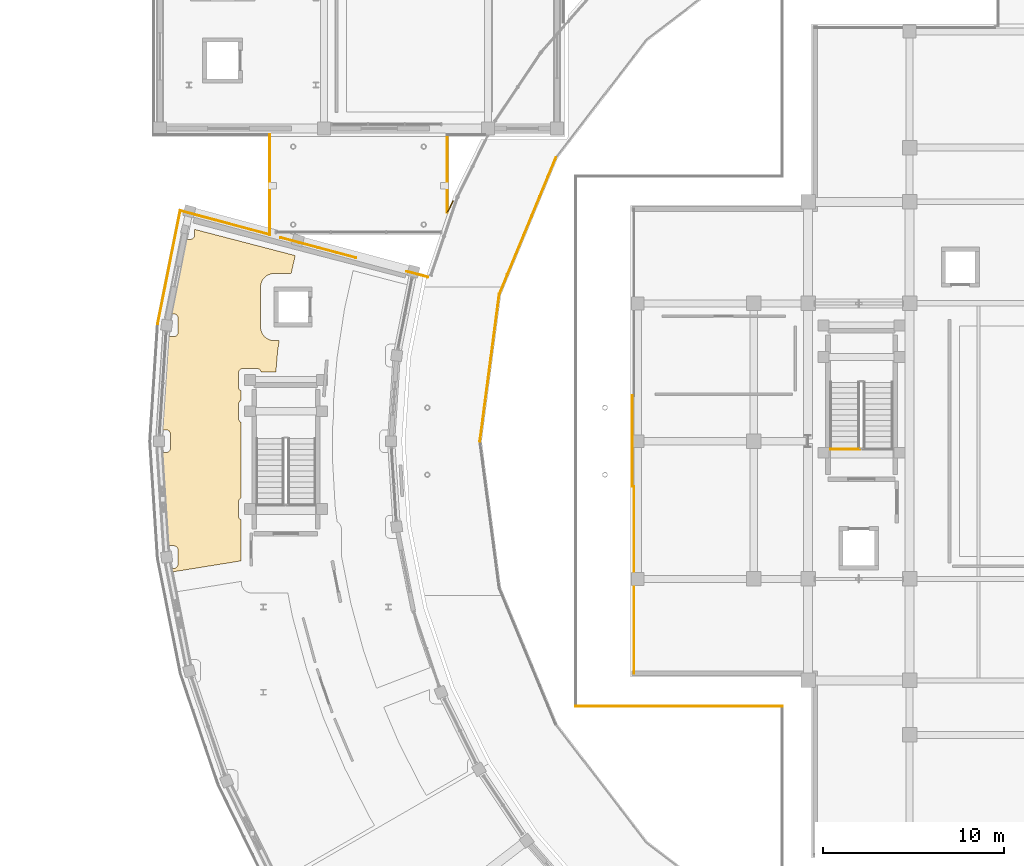
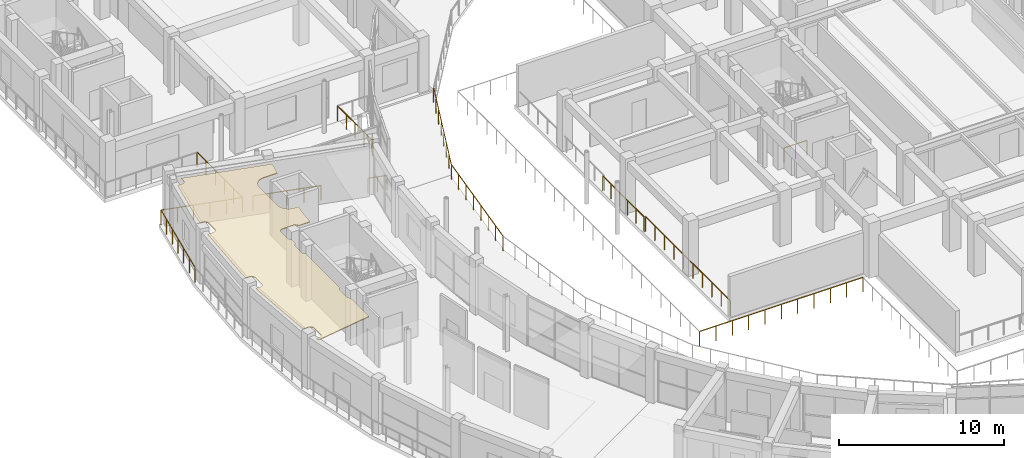
# One storey, part 72 of 83: 13 railings, 1 covering.
"""IFC4 building model written with IfcOpenShell, lengths in metres."""

from ifc_helpers import new_model, si_unit, direction, frame, origin, origin_2d, place, context, subcontext, project, spatial, polyline, rectangle, outline, extrude, material, layer, layer_set, type_object, element, save


model = new_model("IFC4")

# Units and contexts
model_context = context("Model", 3, precision=1e-05, world=origin(), true_north=direction((0.0, 1.0)))
body_context = subcontext(model_context, "Body", "Model", "MODEL_VIEW")
ifc_project = project(units=[si_unit("LENGTHUNIT", "METRE"), si_unit("AREAUNIT", "SQUARE_METRE"), si_unit("VOLUMEUNIT", "CUBIC_METRE"), si_unit("PLANEANGLEUNIT", "RADIAN"), si_unit("MASSUNIT", "GRAM", prefix="KILO")], contexts=[model_context])

# Site, building, storey
site_placement = place(None, origin())
site = spatial("IfcSite", under=ifc_project, at=site_placement, CompositionType="ELEMENT")
building_placement = place(site_placement, origin())
building = spatial("IfcBuilding", under=site, at=building_placement, Name="Saryqyr Civic Hall", CompositionType="ELEMENT")
storey_placement = place(building_placement, frame((0.0, 0.0, 9.14990234375)))
storey = spatial("IfcBuildingStorey", under=building, at=storey_placement, Name="L02", CompositionType="ELEMENT", Elevation=9.14990234375)

# Railing
ifc_material_1 = material(Name="Stainless steel and laminated glass", Category="steel")
ifc_layer_1 = layer(ifc_material_1, 0.06005859375, Name="Stainless steel and laminated glass")
ifc_layer_set_1 = layer_set([ifc_layer_1], Name="Stainless steel and laminated glass")
railing_type_1 = type_object("IfcRailingType", Name="ENV-RLG-BAL-1100", PredefinedType="BALUSTRADE", material=ifc_layer_set_1)
railing_1_placement = place(storey_placement, frame((30.97998046875, 69.3798828125, 0.0)))
element("IfcRailing", 1, at=railing_1_placement, inside=storey, type_object=railing_type_1, Name="Perimeter safety balustrade V1-STEPG-L02-G11", PredefinedType="BALUSTRADE", context=body_context, shape_type="SweptSolid", body=[
    extrude(rectangle(XDim=0.048095703125, YDim=0.048095703125, at=origin_2d()), frame((0.0, 0.0, 1.076171875), z_axis=(1.0, 0.0, 0.0), x_axis=(0.0, 1.0, 0.0)), (0.0, 0.0, 1.0), 11.39990234375),
    extrude(rectangle(XDim=0.0419921875, YDim=0.0419921875, at=origin_2d()), origin(), (0.0, 0.0, 1.0), 1.052001953125),
    extrude(rectangle(XDim=0.0419921875, YDim=0.0419921875, at=origin_2d()), frame((1.139892578125, 0.0, 0.0)), (0.0, 0.0, 1.0), 1.052001953125),
    extrude(rectangle(XDim=0.0419921875, YDim=0.0419921875, at=origin_2d()), frame((2.280029296875, 0.0, 0.0)), (0.0, 0.0, 1.0), 1.052001953125),
    extrude(rectangle(XDim=0.0419921875, YDim=0.0419921875, at=origin_2d()), frame((3.419921875, 0.0, 0.0)), (0.0, 0.0, 1.0), 1.052001953125),
    extrude(rectangle(XDim=0.0419921875, YDim=0.0419921875, at=origin_2d()), frame((4.56005859375, 0.0, 0.0)), (0.0, 0.0, 1.0), 1.052001953125),
    extrude(rectangle(XDim=0.0419921875, YDim=0.0419921875, at=origin_2d()), frame((5.699951171875, 0.0, 0.0)), (0.0, 0.0, 1.0), 1.052001953125),
    extrude(rectangle(XDim=0.0419921875, YDim=0.0419921875, at=origin_2d()), frame((6.83984375, 0.0, 0.0)), (0.0, 0.0, 1.0), 1.052001953125),
    extrude(rectangle(XDim=0.0419921875, YDim=0.0419921875, at=origin_2d()), frame((7.97998046875, 0.0, 0.0)), (0.0, 0.0, 1.0), 1.052001953125),
    extrude(rectangle(XDim=0.0419921875, YDim=0.0419921875, at=origin_2d()), frame((9.119873046875, 0.0, 0.0)), (0.0, 0.0, 1.0), 1.052001953125),
    extrude(rectangle(XDim=0.0419921875, YDim=0.0419921875, at=origin_2d()), frame((10.260009765625, 0.0, 0.0)), (0.0, 0.0, 1.0), 1.052001953125),
    extrude(rectangle(XDim=0.0419921875, YDim=0.0419921875, at=origin_2d()), frame((11.39990234375, 0.0, 0.0)), (0.0, 0.0, 1.0), 1.052001953125),
])

# Covering
ifc_material_2 = material(Name="Mineral-fibre acoustic ceiling tile", Category="acoustic_tile")
ifc_layer_2 = layer(ifc_material_2, 0.06005859375, Name="Mineral-fibre acoustic ceiling tile")
ifc_layer_set_2 = layer_set([ifc_layer_2], Name="Mineral-fibre acoustic ceiling tile")
covering_type = type_object("IfcCoveringType", Name="INT-COV-CEIL-60", PredefinedType="CEILING", material=ifc_layer_set_2)
covering_placement = place(storey_placement, frame((0.0, 0.0, 3.72998046875)))
element("IfcCovering", 2, at=covering_placement, inside=storey, type_object=covering_type, Name="Acoustic ceiling Standing Committee Room 1 (Urban Planning)", PredefinedType="CEILING", context=body_context, shape_type="SweptSolid", body=[
    extrude(outline(polyline([(8.82373046875, 76.975341796875), (8.847900390625, 76.97900390625), (8.871826171875, 76.985107421875), (8.89501953125, 76.9931640625), (8.9169921875, 77.003662109375), (8.93798828125, 77.016357421875), (8.957763671875, 77.031005859375), (8.97607421875, 77.04736328125), (8.992431640625, 77.065673828125), (9.007080078125, 77.085205078125), (9.019775390625, 77.1064453125), (9.0302734375, 77.12841796875), (9.038330078125, 77.151611328125), (9.04443359375, 77.17529296875), (9.048095703125, 77.19970703125), (9.04931640625, 77.22412109375), (9.04931640625, 77.984130859375), (9.048095703125, 78.0087890625), (9.04443359375, 78.032958984375), (9.038330078125, 78.056884765625), (9.0302734375, 78.079833984375), (9.019775390625, 78.10205078125), (9.007080078125, 78.123046875), (8.992431640625, 78.142822265625), (8.97607421875, 78.160888671875), (8.957763671875, 78.177490234375), (8.93798828125, 78.192138671875), (8.9169921875, 78.20458984375), (8.89501953125, 78.215087890625), (8.871826171875, 78.223388671875), (8.847900390625, 78.2294921875), (8.82373046875, 78.23291015625), (8.79931640625, 78.234130859375), (8.439453125, 78.234130859375), (8.376220703125, 78.736328125), (8.084716796875, 83.186279296875), (8.087158203125, 83.3701171875), (8.3798828125, 83.3701171875), (8.404541015625, 83.37109375), (8.4287109375, 83.374755859375), (8.45263671875, 83.380859375), (8.4755859375, 83.388916015625), (8.497802734375, 83.3994140625), (8.518798828125, 83.412109375), (8.53857421875, 83.4267578125), (8.556884765625, 83.443115234375), (8.5732421875, 83.46142578125), (8.587890625, 83.481201171875), (8.6005859375, 83.502197265625), (8.611083984375, 83.5244140625), (8.619140625, 83.54736328125), (8.625244140625, 83.5712890625), (8.62890625, 83.595458984375), (8.6298828125, 83.6201171875), (8.6298828125, 84.3798828125), (8.62890625, 84.404541015625), (8.625244140625, 84.4287109375), (8.619140625, 84.45263671875), (8.611083984375, 84.4755859375), (8.6005859375, 84.497802734375), (8.587890625, 84.518798828125), (8.5732421875, 84.53857421875), (8.556884765625, 84.556884765625), (8.53857421875, 84.5732421875), (8.518798828125, 84.587890625), (8.497802734375, 84.6005859375), (8.4755859375, 84.611083984375), (8.45263671875, 84.619140625), (8.4287109375, 84.625244140625), (8.404541015625, 84.62890625), (8.3798828125, 84.6298828125), (8.103515625, 84.6298828125), (8.111328125, 85.2197265625), (8.406005859375, 89.715576171875), (8.41357421875, 89.765869140625), (8.79931640625, 89.765869140625), (8.82373046875, 89.76708984375), (8.847900390625, 89.7705078125), (8.871826171875, 89.776611328125), (8.89501953125, 89.784912109375), (8.9169921875, 89.79541015625), (8.93798828125, 89.807861328125), (8.957763671875, 89.822509765625), (8.97607421875, 89.839111328125), (8.992431640625, 89.857177734375), (9.007080078125, 89.876953125), (9.019775390625, 89.89794921875), (9.0302734375, 89.920166015625), (9.038330078125, 89.943115234375), (9.04443359375, 89.967041015625), (9.048095703125, 89.9912109375), (9.04931640625, 90.015869140625), (9.04931640625, 90.77587890625), (9.048095703125, 90.80029296875), (9.04443359375, 90.82470703125), (9.038330078125, 90.848388671875), (9.0302734375, 90.87158203125), (9.019775390625, 90.8935546875), (9.007080078125, 90.914794921875), (8.992431640625, 90.934326171875), (8.97607421875, 90.95263671875), (8.957763671875, 90.968994140625), (8.93798828125, 90.983642578125), (8.9169921875, 90.996337890625), (8.89501953125, 91.0068359375), (8.871826171875, 91.014892578125), (8.847900390625, 91.02099609375), (8.82373046875, 91.024658203125), (8.79931640625, 91.02587890625), (8.605712890625, 91.02587890625), (8.701171875, 91.6533203125), (9.4072265625, 95.133056640625), (9.719482421875, 95.133056640625), (9.743896484375, 95.13427734375), (9.768310546875, 95.137939453125), (9.7919921875, 95.143798828125), (9.815185546875, 95.152099609375), (9.837158203125, 95.16259765625), (9.8583984375, 95.17529296875), (9.8779296875, 95.189697265625), (9.896240234375, 95.206298828125), (9.91259765625, 95.224609375), (9.92724609375, 95.244140625), (9.93994140625, 95.265380859375), (9.950439453125, 95.287353515625), (9.95849609375, 95.310546875), (9.964599609375, 95.334228515625), (9.96826171875, 95.358642578125), (9.969482421875, 95.383056640625), (9.969482421875, 95.68212890625), (15.510009765625, 94.239013671875), (15.288330078125, 93.25), (14.35009765625, 93.25), (14.330322265625, 93.24951171875), (14.296142578125, 93.247802734375), (14.257080078125, 93.243896484375), (14.222900390625, 93.239013671875), (14.1845703125, 93.231201171875), (14.151123046875, 93.222900390625), (14.113525390625, 93.21142578125), (14.081298828125, 93.199951171875), (14.044921875, 93.18505859375), (14.013916015625, 93.17041015625), (13.9794921875, 93.15185546875), (13.949951171875, 93.134033203125), (13.917236328125, 93.1123046875), (13.8896484375, 93.091796875), (13.859375, 93.06689453125), (13.833984375, 93.0439453125), (13.80615234375, 93.01611328125), (13.783203125, 92.99072265625), (13.75830078125, 92.960205078125), (13.73779296875, 92.9326171875), (13.7158203125, 92.900146484375), (13.6982421875, 92.87060546875), (13.6796875, 92.8359375), (13.6650390625, 92.804931640625), (13.64990234375, 92.768798828125), (13.638427734375, 92.736328125), (13.627197265625, 92.69873046875), (13.61865234375, 92.66552734375), (13.611083984375, 92.626953125), (13.60595703125, 92.593017578125), (13.602294921875, 92.553955078125), (13.6005859375, 92.51953125), (13.60009765625, 92.5), (13.60009765625, 90.300048828125), (13.6005859375, 90.280517578125), (13.602294921875, 90.24609375), (13.60595703125, 90.20703125), (13.611083984375, 90.173095703125), (13.61865234375, 90.134521484375), (13.627197265625, 90.101318359375), (13.638427734375, 90.063720703125), (13.64990234375, 90.03125), (13.6650390625, 89.9951171875), (13.6796875, 89.964111328125), (13.6982421875, 89.929443359375), (13.7158203125, 89.89990234375), (13.73779296875, 89.8671875), (13.75830078125, 89.839599609375), (13.783203125, 89.809326171875), (13.80615234375, 89.783935546875), (13.833984375, 89.756103515625), (13.859375, 89.733154296875), (13.8896484375, 89.708251953125), (13.917236328125, 89.687744140625), (13.949951171875, 89.666015625), (13.9794921875, 89.648193359375), (14.013916015625, 89.629638671875), (14.044921875, 89.614990234375), (14.081298828125, 89.60009765625), (14.113525390625, 89.58837890625), (14.151123046875, 89.5771484375), (14.1845703125, 89.568603515625), (14.222900390625, 89.56103515625), (14.257080078125, 89.555908203125), (14.296142578125, 89.55224609375), (14.330322265625, 89.550537109375), (14.35009765625, 89.550048828125), (14.627685546875, 89.550048828125), (14.543212890625, 88.99560546875), (14.538818359375, 88.9580078125), (14.445068359375, 87.820068359375), (13.63232421875, 87.820068359375), (13.629150390625, 87.83251953125), (13.62109375, 87.855712890625), (13.610595703125, 87.877685546875), (13.597900390625, 87.89892578125), (13.583251953125, 87.918701171875), (13.56689453125, 87.936767578125), (13.548583984375, 87.953369140625), (13.52880859375, 87.968017578125), (13.5078125, 87.98046875), (13.485595703125, 87.990966796875), (13.462646484375, 87.999267578125), (13.438720703125, 88.005126953125), (13.41455078125, 88.0087890625), (13.389892578125, 88.010009765625), (12.6298828125, 88.010009765625), (12.60546875, 88.0087890625), (12.581298828125, 88.005126953125), (12.557373046875, 87.999267578125), (12.5341796875, 87.990966796875), (12.51220703125, 87.98046875), (12.4912109375, 87.968017578125), (12.471435546875, 87.953369140625), (12.453125, 87.936767578125), (12.436767578125, 87.918701171875), (12.422119140625, 87.89892578125), (12.409423828125, 87.877685546875), (12.39892578125, 87.855712890625), (12.390869140625, 87.83251953125), (12.384765625, 87.808837890625), (12.381103515625, 87.784423828125), (12.3798828125, 87.760009765625), (12.3798828125, 87.0), (12.381103515625, 86.9755859375), (12.384765625, 86.951171875), (12.390869140625, 86.927490234375), (12.39892578125, 86.904296875), (12.409423828125, 86.882080078125), (12.422119140625, 86.861083984375), (12.436767578125, 86.84130859375), (12.453125, 86.8232421875), (12.471435546875, 86.806640625), (12.4912109375, 86.7919921875), (12.51220703125, 86.779541015625), (12.530029296875, 86.77099609375), (12.530029296875, 86.2587890625), (12.51220703125, 86.25048828125), (12.4912109375, 86.23779296875), (12.471435546875, 86.223388671875), (12.453125, 86.206787109375), (12.436767578125, 86.188720703125), (12.422119140625, 86.1689453125), (12.409423828125, 86.147705078125), (12.39892578125, 86.125732421875), (12.390869140625, 86.1025390625), (12.384765625, 86.078857421875), (12.381103515625, 86.054443359375), (12.3798828125, 86.030029296875), (12.3798828125, 85.27001953125), (12.381103515625, 85.24560546875), (12.384765625, 85.22119140625), (12.390869140625, 85.197509765625), (12.39892578125, 85.17431640625), (12.409423828125, 85.152099609375), (12.422119140625, 85.131103515625), (12.436767578125, 85.111328125), (12.453125, 85.09326171875), (12.471435546875, 85.07666015625), (12.4912109375, 85.06201171875), (12.51220703125, 85.049560546875), (12.530029296875, 85.041015625), (12.530029296875, 80.873779296875), (12.51220703125, 80.865478515625), (12.4912109375, 80.852783203125), (12.471435546875, 80.83837890625), (12.453125, 80.82177734375), (12.436767578125, 80.8037109375), (12.422119140625, 80.783935546875), (12.409423828125, 80.7626953125), (12.39892578125, 80.74072265625), (12.390869140625, 80.717529296875), (12.384765625, 80.69384765625), (12.381103515625, 80.66943359375), (12.3798828125, 80.64501953125), (12.3798828125, 79.885009765625), (12.381103515625, 79.860595703125), (12.384765625, 79.836181640625), (12.390869140625, 79.8125), (12.39892578125, 79.789306640625), (12.409423828125, 79.76708984375), (12.422119140625, 79.74609375), (12.436767578125, 79.726318359375), (12.453125, 79.708251953125), (12.471435546875, 79.691650390625), (12.4912109375, 79.677001953125), (12.51220703125, 79.66455078125), (12.530029296875, 79.656005859375), (12.530029296875, 79.0), (12.530029296875, 78.996337890625), (12.530029296875, 77.399169921875), (8.62353515625, 76.770263671875), (8.597900390625, 76.97412109375), (8.79931640625, 76.97412109375), (8.82373046875, 76.975341796875)])), origin(), (0.0, 0.0, 1.0), 0.06005859375),
])

# Railings
ifc_material_3 = material(Name="Warm brushed brass and laminated glass", Category="glass")
ifc_layer_3 = layer(ifc_material_3, 0.06005859375, Name="Warm brushed brass and laminated glass")
ifc_layer_set_3 = layer_set([ifc_layer_3], Name="Warm brushed brass and laminated glass")
railing_type_2 = type_object("IfcRailingType", Name="INT-RLG-BAL-1100", PredefinedType="BALUSTRADE", material=ifc_layer_set_3)
railing_2_placement = place(storey_placement, frame((34.199951171875, 71.199951171875, 0.0)))
element("IfcRailing", 3, at=railing_2_placement, inside=storey, type_object=railing_type_2, Name="Perimeter safety balustrade V1-JNTGA-L02-02-G01", PredefinedType="BALUSTRADE", context=body_context, shape_type="SweptSolid", body=[
    extrude(rectangle(XDim=0.048095703125, YDim=0.048095703125, at=origin_2d()), frame((0.0, 0.0, 1.076171875), z_axis=(0.0, 1.0, 0.0), x_axis=(-1.0, 0.0, 0.0)), (0.0, 0.0, 1.0), 10.300048828125),
    extrude(rectangle(XDim=0.0419921875, YDim=0.0419921875, at=origin_2d()), origin(), (0.0, 0.0, 1.0), 1.052001953125),
    extrude(rectangle(XDim=0.0419921875, YDim=0.0419921875, at=origin_2d()), frame((0.0, 1.14453125, 0.0)), (0.0, 0.0, 1.0), 1.052001953125),
    extrude(rectangle(XDim=0.0419921875, YDim=0.0419921875, at=origin_2d()), frame((0.0, 2.288818359375, 0.0)), (0.0, 0.0, 1.0), 1.052001953125),
    extrude(rectangle(XDim=0.0419921875, YDim=0.0419921875, at=origin_2d()), frame((0.0, 3.433349609375, 0.0)), (0.0, 0.0, 1.0), 1.052001953125),
    extrude(rectangle(XDim=0.0419921875, YDim=0.0419921875, at=origin_2d()), frame((0.0, 4.577880859375, 0.0)), (0.0, 0.0, 1.0), 1.052001953125),
    extrude(rectangle(XDim=0.0419921875, YDim=0.0419921875, at=origin_2d()), frame((0.0, 5.72216796875, 0.0)), (0.0, 0.0, 1.0), 1.052001953125),
    extrude(rectangle(XDim=0.0419921875, YDim=0.0419921875, at=origin_2d()), frame((0.0, 6.86669921875, 0.0)), (0.0, 0.0, 1.0), 1.052001953125),
    extrude(rectangle(XDim=0.0419921875, YDim=0.0419921875, at=origin_2d()), frame((0.0, 8.01123046875, 0.0)), (0.0, 0.0, 1.0), 1.052001953125),
    extrude(rectangle(XDim=0.0419921875, YDim=0.0419921875, at=origin_2d()), frame((0.0, 9.155517578125, 0.0)), (0.0, 0.0, 1.0), 1.052001953125),
    extrude(rectangle(XDim=0.0419921875, YDim=0.0419921875, at=origin_2d()), frame((0.0, 10.300048828125, 0.0)), (0.0, 0.0, 1.0), 1.052001953125),
])
railing_3_placement = place(storey_placement, frame((7.923583984375, 90.4609375, 0.0)))
element("IfcRailing", 4, at=railing_3_placement, inside=storey, type_object=railing_type_2, Name="Interior deck safety balustrade L02-012", PredefinedType="BALUSTRADE", context=body_context, shape_type="SweptSolid", body=[
    extrude(rectangle(XDim=0.048095703125, YDim=0.048095703125, at=origin_2d()), frame((0.0, 0.0, 1.09619140625), z_axis=(0.195092281348, 0.980784890666, 0.0), x_axis=(-0.980784890666, 0.195092281348, 0.0)), (0.0, 0.0, 1.0), 6.374755859375),
    extrude(rectangle(XDim=0.0419921875, YDim=0.0419921875, at=origin_2d()), origin(), (0.0, 0.0, 1.0), 1.072021484375),
    extrude(rectangle(XDim=0.0419921875, YDim=0.0419921875, at=origin_2d()), frame((0.207275390625, 1.0419921875, 0.0)), (0.0, 0.0, 1.0), 1.072021484375),
    extrude(rectangle(XDim=0.0419921875, YDim=0.0419921875, at=origin_2d()), frame((0.41455078125, 2.083984375, 0.0)), (0.0, 0.0, 1.0), 1.072021484375),
    extrude(rectangle(XDim=0.0419921875, YDim=0.0419921875, at=origin_2d()), frame((0.621826171875, 3.1259765625, 0.0)), (0.0, 0.0, 1.0), 1.072021484375),
    extrude(rectangle(XDim=0.0419921875, YDim=0.0419921875, at=origin_2d()), frame((0.8291015625, 4.168212890625, 0.0)), (0.0, 0.0, 1.0), 1.072021484375),
    extrude(rectangle(XDim=0.0419921875, YDim=0.0419921875, at=origin_2d()), frame((1.036376953125, 5.210205078125, 0.0)), (0.0, 0.0, 1.0), 1.072021484375),
    extrude(rectangle(XDim=0.0419921875, YDim=0.0419921875, at=origin_2d()), frame((1.24365234375, 6.252197265625, 0.0)), (0.0, 0.0, 1.0), 1.072021484375),
])
railing_4_placement = place(storey_placement, frame((9.167236328125, 96.713134765625, 0.0)))
element("IfcRailing", 5, at=railing_4_placement, inside=storey, type_object=railing_type_2, Name="Interior deck safety balustrade L02-013", PredefinedType="BALUSTRADE", context=body_context, shape_type="SweptSolid", body=[
    extrude(rectangle(XDim=0.048095703125, YDim=0.048095703125, at=origin_2d()), frame((0.0, 0.0, 1.09619140625), z_axis=(0.965936742512, -0.258778301768, 0.0), x_axis=(0.258778301768, 0.965936742512, 0.0)), (0.0, 0.0, 1.0), 5.10693359375),
    extrude(rectangle(XDim=0.0419921875, YDim=0.0419921875, at=origin_2d()), origin(), (0.0, 0.0, 1.0), 1.072021484375),
    extrude(rectangle(XDim=0.0419921875, YDim=0.0419921875, at=origin_2d()), frame((0.986572265625, -0.264404296875, 0.0)), (0.0, 0.0, 1.0), 1.072021484375),
    extrude(rectangle(XDim=0.0419921875, YDim=0.0419921875, at=origin_2d()), frame((1.97314453125, -0.528564453125, 0.0)), (0.0, 0.0, 1.0), 1.072021484375),
    extrude(rectangle(XDim=0.0419921875, YDim=0.0419921875, at=origin_2d()), frame((2.959716796875, -0.79296875, 0.0)), (0.0, 0.0, 1.0), 1.072021484375),
    extrude(rectangle(XDim=0.0419921875, YDim=0.0419921875, at=origin_2d()), frame((3.9462890625, -1.05712890625, 0.0)), (0.0, 0.0, 1.0), 1.072021484375),
    extrude(rectangle(XDim=0.0419921875, YDim=0.0419921875, at=origin_2d()), frame((4.932861328125, -1.321533203125, 0.0)), (0.0, 0.0, 1.0), 1.072021484375),
])
railing_5_placement = place(storey_placement, frame((14.10009765625, 95.3916015625, 0.0)))
element("IfcRailing", 6, at=railing_5_placement, inside=storey, type_object=railing_type_2, Name="Interior deck safety balustrade L02-014", PredefinedType="BALUSTRADE", context=body_context, shape_type="SweptSolid", body=[
    extrude(rectangle(XDim=0.048095703125, YDim=0.048095703125, at=origin_2d()), frame((0.0, 0.0, 1.09619140625), z_axis=(0.0, 1.0, 0.0), x_axis=(-1.0, 0.0, 0.0)), (0.0, 0.0, 1.0), 5.50830078125),
    extrude(rectangle(XDim=0.0419921875, YDim=0.0419921875, at=origin_2d()), origin(), (0.0, 0.0, 1.0), 1.072021484375),
    extrude(rectangle(XDim=0.0419921875, YDim=0.0419921875, at=origin_2d()), frame((0.0, 1.1015625, 0.0)), (0.0, 0.0, 1.0), 1.072021484375),
    extrude(rectangle(XDim=0.0419921875, YDim=0.0419921875, at=origin_2d()), frame((0.0, 2.203369140625, 0.0)), (0.0, 0.0, 1.0), 1.072021484375),
    extrude(rectangle(XDim=0.0419921875, YDim=0.0419921875, at=origin_2d()), frame((0.0, 3.304931640625, 0.0)), (0.0, 0.0, 1.0), 1.072021484375),
    extrude(rectangle(XDim=0.0419921875, YDim=0.0419921875, at=origin_2d()), frame((0.0, 4.40673828125, 0.0)), (0.0, 0.0, 1.0), 1.072021484375),
    extrude(rectangle(XDim=0.0419921875, YDim=0.0419921875, at=origin_2d()), frame((0.0, 5.50830078125, 0.0)), (0.0, 0.0, 1.0), 1.072021484375),
])
railing_6_placement = place(storey_placement, frame((34.10009765625, 81.5, 0.0)))
element("IfcRailing", 7, at=railing_6_placement, inside=storey, type_object=railing_type_2, Name="Interior deck safety balustrade L02-086", PredefinedType="BALUSTRADE", context=body_context, shape_type="SweptSolid", body=[
    extrude(rectangle(XDim=0.048095703125, YDim=0.048095703125, at=origin_2d()), frame((0.0, 0.0, 1.09619140625), z_axis=(0.0, 1.0, 0.0), x_axis=(-1.0, 0.0, 0.0)), (0.0, 0.0, 1.0), 5.0),
    extrude(rectangle(XDim=0.0419921875, YDim=0.0419921875, at=origin_2d()), origin(), (0.0, 0.0, 1.0), 1.072021484375),
    extrude(rectangle(XDim=0.0419921875, YDim=0.0419921875, at=origin_2d()), frame((0.0, 1.0, 0.0)), (0.0, 0.0, 1.0), 1.072021484375),
    extrude(rectangle(XDim=0.0419921875, YDim=0.0419921875, at=origin_2d()), frame((0.0, 2.0, 0.0)), (0.0, 0.0, 1.0), 1.072021484375),
    extrude(rectangle(XDim=0.0419921875, YDim=0.0419921875, at=origin_2d()), frame((0.0, 3.0, 0.0)), (0.0, 0.0, 1.0), 1.072021484375),
    extrude(rectangle(XDim=0.0419921875, YDim=0.0419921875, at=origin_2d()), frame((0.0, 4.0, 0.0)), (0.0, 0.0, 1.0), 1.072021484375),
    extrude(rectangle(XDim=0.0419921875, YDim=0.0419921875, at=origin_2d()), frame((0.0, 5.0, 0.0)), (0.0, 0.0, 1.0), 1.072021484375),
])
railing_7_placement = place(storey_placement, frame((29.892578125, 99.650390625, 0.0)))
element("IfcRailing", 8, at=railing_7_placement, inside=storey, type_object=railing_type_2, Name="Interior deck safety balustrade L02-094", PredefinedType="BALUSTRADE", context=body_context, shape_type="SweptSolid", body=[
    extrude(rectangle(XDim=0.048095703125, YDim=0.048095703125, at=origin_2d()), frame((0.0, 0.0, 1.09619140625), z_axis=(-0.382686044841, -0.923878450384, 0.0), x_axis=(0.923878450384, -0.382686044841, 0.0)), (0.0, 0.0, 1.0), 8.171142578125),
    extrude(rectangle(XDim=0.0419921875, YDim=0.0419921875, at=origin_2d()), origin(), (0.0, 0.0, 1.0), 1.072021484375),
    extrude(rectangle(XDim=0.0419921875, YDim=0.0419921875, at=origin_2d()), frame((-0.44677734375, -1.078369140625, 0.0)), (0.0, 0.0, 1.0), 1.072021484375),
    extrude(rectangle(XDim=0.0419921875, YDim=0.0419921875, at=origin_2d()), frame((-0.893310546875, -2.156982421875, 0.0)), (0.0, 0.0, 1.0), 1.072021484375),
    extrude(rectangle(XDim=0.0419921875, YDim=0.0419921875, at=origin_2d()), frame((-1.340087890625, -3.2353515625, 0.0)), (0.0, 0.0, 1.0), 1.072021484375),
    extrude(rectangle(XDim=0.0419921875, YDim=0.0419921875, at=origin_2d()), frame((-1.786865234375, -4.313720703125, 0.0)), (0.0, 0.0, 1.0), 1.072021484375),
    extrude(rectangle(XDim=0.0419921875, YDim=0.0419921875, at=origin_2d()), frame((-2.233642578125, -5.39208984375, 0.0)), (0.0, 0.0, 1.0), 1.072021484375),
    extrude(rectangle(XDim=0.0419921875, YDim=0.0419921875, at=origin_2d()), frame((-2.68017578125, -6.470703125, 0.0)), (0.0, 0.0, 1.0), 1.072021484375),
    extrude(rectangle(XDim=0.0419921875, YDim=0.0419921875, at=origin_2d()), frame((-3.126953125, -7.549072265625, 0.0)), (0.0, 0.0, 1.0), 1.072021484375),
])
railing_8_placement = place(storey_placement, frame((26.765625, 92.101318359375, 0.0)))
element("IfcRailing", 9, at=railing_8_placement, inside=storey, type_object=railing_type_2, Name="Interior deck safety balustrade L02-095", PredefinedType="BALUSTRADE", context=body_context, shape_type="SweptSolid", body=[
    extrude(rectangle(XDim=0.048095703125, YDim=0.048095703125, at=origin_2d()), frame((0.0, 0.0, 1.09619140625), z_axis=(-0.130507841558, -0.991447277112, 0.0), x_axis=(0.991447277112, -0.130507841558, 0.0)), (0.0, 0.0, 1.0), 8.171142578125),
    extrude(rectangle(XDim=0.0419921875, YDim=0.0419921875, at=origin_2d()), origin(), (0.0, 0.0, 1.0), 1.072021484375),
    extrude(rectangle(XDim=0.0419921875, YDim=0.0419921875, at=origin_2d()), frame((-0.15234375, -1.1572265625, 0.0)), (0.0, 0.0, 1.0), 1.072021484375),
    extrude(rectangle(XDim=0.0419921875, YDim=0.0419921875, at=origin_2d()), frame((-0.3046875, -2.314697265625, 0.0)), (0.0, 0.0, 1.0), 1.072021484375),
    extrude(rectangle(XDim=0.0419921875, YDim=0.0419921875, at=origin_2d()), frame((-0.45703125, -3.471923828125, 0.0)), (0.0, 0.0, 1.0), 1.072021484375),
    extrude(rectangle(XDim=0.0419921875, YDim=0.0419921875, at=origin_2d()), frame((-0.609375, -4.62939453125, 0.0)), (0.0, 0.0, 1.0), 1.072021484375),
    extrude(rectangle(XDim=0.0419921875, YDim=0.0419921875, at=origin_2d()), frame((-0.76171875, -5.78662109375, 0.0)), (0.0, 0.0, 1.0), 1.072021484375),
    extrude(rectangle(XDim=0.0419921875, YDim=0.0419921875, at=origin_2d()), frame((-0.9140625, -6.944091796875, 0.0)), (0.0, 0.0, 1.0), 1.072021484375),
    extrude(rectangle(XDim=0.0419921875, YDim=0.0419921875, at=origin_2d()), frame((-1.06640625, -8.101318359375, 0.0)), (0.0, 0.0, 1.0), 1.072021484375),
])
railing_9_placement = place(storey_placement, frame((45.044921875, 83.550048828125, 0.0)))
element("IfcRailing", 10, at=railing_9_placement, inside=storey, type_object=railing_type_2, Name="Interior deck safety balustrade L02-096", PredefinedType="BALUSTRADE", context=body_context, shape_type="SweptSolid", body=[
    extrude(rectangle(XDim=0.048095703125, YDim=0.048095703125, at=origin_2d()), frame((0.0, 0.0, 1.09619140625), z_axis=(1.0, 0.0, 0.0), x_axis=(0.0, 1.0, 0.0)), (0.0, 0.0, 1.0), 1.60498046875),
    extrude(rectangle(XDim=0.0419921875, YDim=0.0419921875, at=origin_2d()), origin(), (0.0, 0.0, 1.0), 1.072021484375),
    extrude(rectangle(XDim=0.0419921875, YDim=0.0419921875, at=origin_2d()), frame((0.802490234375, 0.0, 0.0)), (0.0, 0.0, 1.0), 1.072021484375),
    extrude(rectangle(XDim=0.0419921875, YDim=0.0419921875, at=origin_2d()), frame((1.60498046875, 0.0, 0.0)), (0.0, 0.0, 1.0), 1.072021484375),
])
railing_10_placement = place(storey_placement, frame((23.89990234375, 100.89990234375, 0.0)))
element("IfcRailing", 11, at=railing_10_placement, inside=storey, type_object=railing_type_2, Name="Interior deck safety balustrade L02-099", PredefinedType="BALUSTRADE", context=body_context, shape_type="SweptSolid", body=[
    extrude(rectangle(XDim=0.048095703125, YDim=0.048095703125, at=origin_2d()), frame((0.0, 0.0, 1.09619140625), z_axis=(0.0, -1.0, 0.0), x_axis=(1.0, 0.0, 0.0)), (0.0, 0.0, 1.0), 4.2890625),
    extrude(rectangle(XDim=0.0419921875, YDim=0.0419921875, at=origin_2d()), origin(), (0.0, 0.0, 1.0), 1.072021484375),
    extrude(rectangle(XDim=0.0419921875, YDim=0.0419921875, at=origin_2d()), frame((0.0, -1.072265625, 0.0)), (0.0, 0.0, 1.0), 1.072021484375),
    extrude(rectangle(XDim=0.0419921875, YDim=0.0419921875, at=origin_2d()), frame((0.0, -2.14453125, 0.0)), (0.0, 0.0, 1.0), 1.072021484375),
    extrude(rectangle(XDim=0.0419921875, YDim=0.0419921875, at=origin_2d()), frame((0.0, -3.216796875, 0.0)), (0.0, 0.0, 1.0), 1.072021484375),
    extrude(rectangle(XDim=0.0419921875, YDim=0.0419921875, at=origin_2d()), frame((0.0, -4.2890625, 0.0)), (0.0, 0.0, 1.0), 1.072021484375),
])
railing_11_placement = place(storey_placement, frame((23.89990234375, 96.61083984375, 0.0)))
element("IfcRailing", 12, at=railing_11_placement, inside=storey, type_object=railing_type_2, Name="Interior deck safety balustrade L02-100", PredefinedType="BALUSTRADE", context=body_context, shape_type="SweptSolid", body=[
    extrude(rectangle(XDim=0.048095703125, YDim=0.048095703125, at=origin_2d()), frame((0.0, 0.0, 1.09619140625), z_axis=(0.442520323725, 0.896758475338, 0.0), x_axis=(-0.896758475338, 0.442520323725, 0.0)), (0.0, 0.0, 1.0), 0.70849609375),
    extrude(rectangle(XDim=0.0419921875, YDim=0.0419921875, at=origin_2d()), origin(), (0.0, 0.0, 1.0), 1.072021484375),
    extrude(rectangle(XDim=0.0419921875, YDim=0.0419921875, at=origin_2d()), frame((0.3134765625, 0.63525390625, 0.0)), (0.0, 0.0, 1.0), 1.072021484375),
])
railing_12_placement = place(storey_placement, frame((14.719970703125, 95.225341796875, 0.0)))
element("IfcRailing", 13, at=railing_12_placement, inside=storey, type_object=railing_type_2, Name="Interior deck safety balustrade L02-101", PredefinedType="BALUSTRADE", context=body_context, shape_type="SweptSolid", body=[
    extrude(rectangle(XDim=0.048095703125, YDim=0.048095703125, at=origin_2d()), frame((0.0, 0.0, 1.09619140625), z_axis=(0.965931728096, -0.258797018253, 0.0), x_axis=(0.258797018253, 0.965931728096, 0.0)), (0.0, 0.0, 1.0), 4.2724609375),
    extrude(rectangle(XDim=0.0419921875, YDim=0.0419921875, at=origin_2d()), origin(), (0.0, 0.0, 1.0), 1.072021484375),
    extrude(rectangle(XDim=0.0419921875, YDim=0.0419921875, at=origin_2d()), frame((1.03173828125, -0.2763671875, 0.0)), (0.0, 0.0, 1.0), 1.072021484375),
    extrude(rectangle(XDim=0.0419921875, YDim=0.0419921875, at=origin_2d()), frame((2.0634765625, -0.552734375, 0.0)), (0.0, 0.0, 1.0), 1.072021484375),
    extrude(rectangle(XDim=0.0419921875, YDim=0.0419921875, at=origin_2d()), frame((3.09521484375, -0.829345703125, 0.0)), (0.0, 0.0, 1.0), 1.072021484375),
    extrude(rectangle(XDim=0.0419921875, YDim=0.0419921875, at=origin_2d()), frame((4.126953125, -1.105712890625, 0.0)), (0.0, 0.0, 1.0), 1.072021484375),
])
railing_13_placement = place(storey_placement, frame((21.669189453125, 93.36328125, 0.0)))
element("IfcRailing", 14, at=railing_13_placement, inside=storey, type_object=railing_type_2, Name="Interior deck safety balustrade L02-102", PredefinedType="BALUSTRADE", context=body_context, shape_type="SweptSolid", body=[
    extrude(rectangle(XDim=0.048095703125, YDim=0.048095703125, at=origin_2d()), frame((0.0, 0.0, 1.09619140625), z_axis=(0.965951671057, -0.258722571845, 0.0), x_axis=(0.258722571845, 0.965951671057, 0.0)), (0.0, 0.0, 1.0), 1.2041015625),
    extrude(rectangle(XDim=0.0419921875, YDim=0.0419921875, at=origin_2d()), origin(), (0.0, 0.0, 1.0), 1.072021484375),
    extrude(rectangle(XDim=0.0419921875, YDim=0.0419921875, at=origin_2d()), frame((0.58154296875, -0.15576171875, 0.0)), (0.0, 0.0, 1.0), 1.072021484375),
    extrude(rectangle(XDim=0.0419921875, YDim=0.0419921875, at=origin_2d()), frame((1.1630859375, -0.3115234375, 0.0)), (0.0, 0.0, 1.0), 1.072021484375),
])

save(model, "model.ifc")
